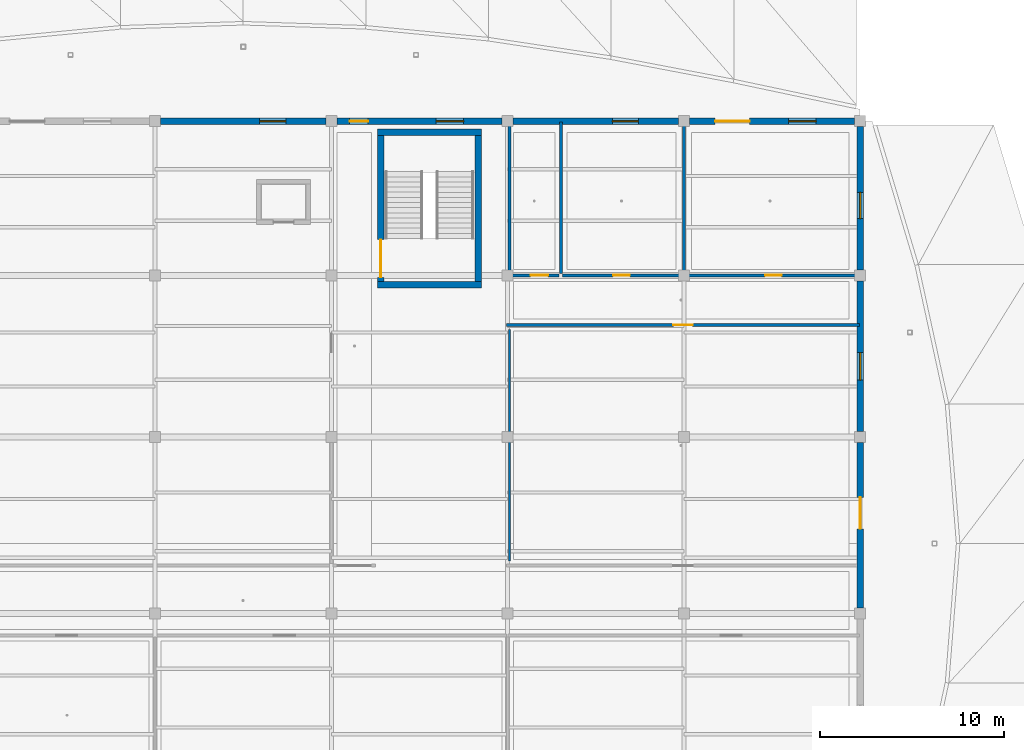
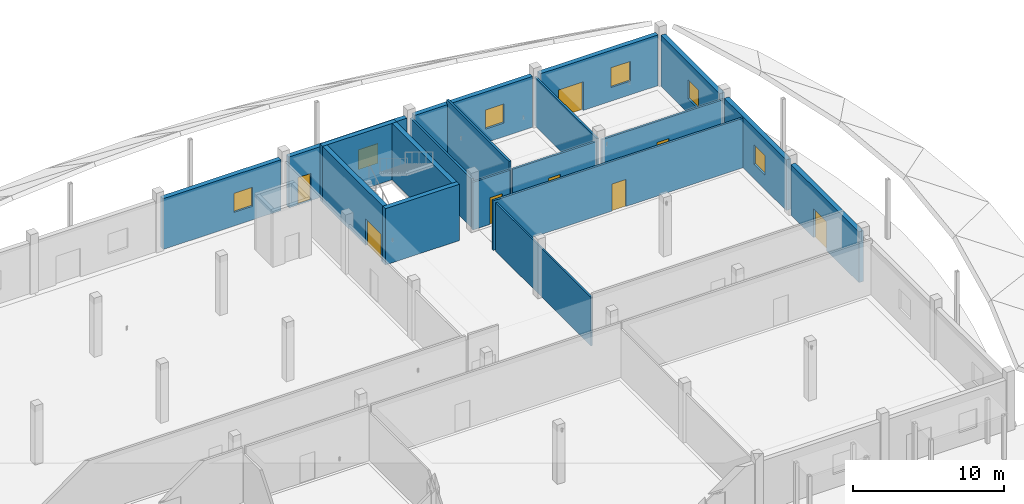
# One storey, part 84 of 116: 19 walls, 8 doors, 6 windows, 14 openings.
"""IFC4 building model written with IfcOpenShell, lengths in metres."""

from ifc_helpers import new_model, si_unit, direction, frame, frame_2d, origin, place, context, subcontext, project, spatial, rectangle, extrude, material, layer, layer_set, type_object, element, fill, save


model = new_model("IFC4")

# Units and contexts
model_context = context("Model", 3, precision=1e-05, world=origin(), true_north=direction((0.0, 1.0)))
body_context = subcontext(model_context, "Body", "Model", "MODEL_VIEW")
ifc_project = project(units=[si_unit("LENGTHUNIT", "METRE"), si_unit("AREAUNIT", "SQUARE_METRE"), si_unit("VOLUMEUNIT", "CUBIC_METRE"), si_unit("PLANEANGLEUNIT", "RADIAN"), si_unit("MASSUNIT", "GRAM", prefix="KILO")], contexts=[model_context])

# Site, building, storey
site_placement = place(None, origin())
site = spatial("IfcSite", under=ifc_project, at=site_placement, CompositionType="ELEMENT")
building_placement = place(site_placement, origin())
building = spatial("IfcBuilding", under=site, at=building_placement, Name="Chalmorin Arch Market", CompositionType="ELEMENT")
storey_placement = place(building_placement, origin())
storey = spatial("IfcBuildingStorey", under=building, at=storey_placement, Name="L00", CompositionType="ELEMENT", Elevation=0.0)

# Walls
ifc_material_1 = material(Name="Concrete C40/50", Category="concrete")
ifc_layer_1 = layer(ifc_material_1, 0.35009765625)
ifc_layer_set_1 = layer_set([ifc_layer_1], Name="Concrete C40/50")
wall_type_1 = type_object("IfcWallType", Name="CoreShearWall-350", PredefinedType="SHEAR", material=ifc_layer_set_1)
for number, where, z_axis, x_axis, name in (
    (1, (94.574951171875, 109.10009765625, 0.0), (0.0, 0.0, 1.0), (-1.0, 0.0, 0.0), "CSW-350-089"),
    (2, (88.925048828125, 117.39990234375, 0.0), (0.0, 0.0, 1.0), (1.0, 0.0, 0.0), "CSW-350-090"),
):
    element("IfcWall", number, at=place(storey_placement, frame(where, z_axis=z_axis, x_axis=x_axis)), inside=storey, type_object=wall_type_1, Name=name, PredefinedType="SHEAR", context=body_context, shape_type="SweptSolid", body=[
        extrude(rectangle(XDim=5.64990234375, YDim=0.35009765625, at=frame_2d((2.824951171875, 0.0))), origin(), (0.0, 0.0, 1.0), 4.550048828125),
    ])

# Wall, opening, door
wall_1_placement = place(storey_placement, frame((89.10009765625, 109.27490234375, 0.0), z_axis=(0.0, 0.0, 1.0), x_axis=(0.0, 1.0, 0.0)))
wall_1 = element("IfcWall", 3, at=wall_1_placement, inside=storey, type_object=wall_type_1, Name="CSW-350-091", PredefinedType="SHEAR", context=body_context, shape_type="SweptSolid", body=[
    extrude(rectangle(XDim=7.9501953125, YDim=0.35009765625, at=frame_2d((3.97509765625, 0.0))), origin(), (0.0, 0.0, 1.0), 4.550048828125),
])
opening_1_placement = place(wall_1_placement, frame((0.219970703125, 0.0, 0.0)))
opening_1 = element("IfcOpeningElement", 4, at=opening_1_placement, cuts=wall_1, Name="Opening FD-SC6-L00", PredefinedType="OPENING", context=body_context, shape_type="SweptSolid", body=[
    extrude(rectangle(XDim=2.050048828125, YDim=2.14990234375, at=frame_2d((1.02490234375, 1.074951171875))), frame((0.0, 0.18505859375, 0.0), z_axis=(0.0, -1.0, 0.0), x_axis=(1.0, 0.0, 0.0)), (0.0, 0.0, 1.0), 0.3701171875),
])
ifc_material_2 = material(Name="Galvanised Steel", Category="steel")
door_type_1 = type_object("IfcDoorType", Name="DoubleFireExitDoor-2050x2150", OperationType="DOUBLE_DOOR_SINGLE_SWING", PredefinedType="DOOR", material=ifc_material_2)
door_1_placement = place(opening_1_placement, origin())
door_1 = element("IfcDoor", 5, at=door_1_placement, inside=storey, type_object=door_type_1, Name="FD-SC6-L00", OperationType="DOUBLE_DOOR_SINGLE_SWING", OverallHeight=2.14990234375, OverallWidth=2.050048828125, PredefinedType="DOOR", context=body_context, shape_type="SweptSolid", body=[
    extrude(rectangle(XDim=2.050048828125, YDim=2.14990234375, at=frame_2d((1.02490234375, 1.074951171875))), frame((0.0, 0.02490234375, 0.0), z_axis=(0.0, -1.0, 0.0), x_axis=(1.0, 0.0, 0.0)), (0.0, 0.0, 1.0), 0.050048828125),
])
fill(opening_1, door_1)

# Wall
wall_2_placement = place(storey_placement, frame((94.39990234375, 117.22509765625, 0.0), z_axis=(0.0, 0.0, 1.0), x_axis=(0.0, -1.0, 0.0)))
element("IfcWall", 6, at=wall_2_placement, inside=storey, type_object=wall_type_1, Name="CSW-350-092", PredefinedType="SHEAR", context=body_context, shape_type="SweptSolid", body=[
    extrude(rectangle(XDim=7.9501953125, YDim=0.35009765625, at=frame_2d((3.97509765625, 0.0))), origin(), (0.0, 0.0, 1.0), 4.550048828125),
])

# Wall, opening, door
ifc_material_3 = material(Name="Gypsum Board Partition")
ifc_layer_2 = layer(ifc_material_3, 0.159912109375)
ifc_layer_set_2 = layer_set([ifc_layer_2], Name="Gypsum Board Partition")
wall_type_2 = type_object("IfcWallType", Name="CorridorRatedPartition-160", PredefinedType="PARTITIONING", material=ifc_layer_set_2)
wall_3_placement = place(storey_placement, frame((95.949951171875, 106.89990234375, 0.0), z_axis=(0.0, 0.0, 1.0), x_axis=(1.0, 0.0, 0.0)))
wall_3 = element("IfcWall", 7, at=wall_3_placement, inside=storey, type_object=wall_type_2, Name="CRP-160-451", PredefinedType="PARTITIONING", context=body_context, shape_type="SweptSolid", body=[
    extrude(rectangle(XDim=19.199951171875, YDim=0.159912109375, at=frame_2d((9.60009765625, 0.0))), origin(), (0.0, 0.0, 1.0), 4.0),
])
opening_2_placement = place(wall_3_placement, frame((9.080078125, 0.0, 0.0)))
opening_2 = element("IfcOpeningElement", 8, at=opening_2_placement, cuts=wall_3, Name="Opening ID-136", PredefinedType="OPENING", context=body_context, shape_type="SweptSolid", body=[
    extrude(rectangle(XDim=1.0400390625, YDim=2.179931640625, at=frame_2d((0.52001953125, 1.08984375))), frame((0.0, 0.08984375, 0.0), z_axis=(0.0, -1.0, 0.0), x_axis=(1.0, 0.0, 0.0)), (0.0, 0.0, 1.0), 0.179931640625),
])
ifc_material_4 = material(Name="Oak Engineered Timber", Category="wood")
door_type_2 = type_object("IfcDoorType", Name="CommunityRoomDoor-1040x2180", OperationType="NOTDEFINED", PredefinedType="DOOR", material=ifc_material_4)
door_2_placement = place(opening_2_placement, origin())
door_2 = element("IfcDoor", 9, at=door_2_placement, inside=storey, type_object=door_type_2, Name="ID-136", OperationType="SINGLE_SWING_RIGHT", OverallHeight=2.179931640625, OverallWidth=1.0400390625, PredefinedType="DOOR", context=body_context, shape_type="SweptSolid", body=[
    extrude(rectangle(XDim=1.0400390625, YDim=2.179931640625, at=frame_2d((0.52001953125, 1.08984375))), frame((0.0, 0.02490234375, 0.0), z_axis=(0.0, -1.0, 0.0), x_axis=(1.0, 0.0, 0.0)), (0.0, 0.0, 1.0), 0.050048828125),
])
fill(opening_2, door_2)

# Wall
ifc_material_5 = material(Name="Powder-coated Aluminium Panel", Category="aluminium")
ifc_layer_3 = layer(ifc_material_5, 0.125)
ifc_layer_set_3 = layer_set([ifc_layer_3], Name="Powder-coated Aluminium Panel")
wall_type_3 = type_object("IfcWallType", Name="DemountableStudStallPartition-125", PredefinedType="PARTITIONING", material=ifc_layer_set_3)
wall_4_placement = place(storey_placement, frame((96.10009765625, 94.0400390625, 0.0), z_axis=(0.0, 0.0, 1.0), x_axis=(0.0, 1.0, 0.0)))
element("IfcWall", 10, at=wall_4_placement, inside=storey, type_object=wall_type_3, Name="DSP-125-473", PredefinedType="PARTITIONING", context=body_context, shape_type="SweptSolid", body=[
    extrude(rectangle(XDim=12.619873046875, YDim=0.125, at=frame_2d((6.31005859375, 0.0))), origin(), (0.0, 0.0, 1.0), 3.919921875),
])

# Wall, opening, window
ifc_material_6 = material(Name="Concrete C35/45", Category="concrete")
ifc_layer_4 = layer(ifc_material_6, 0.35009765625)
ifc_layer_set_4 = layer_set([ifc_layer_4], Name="Concrete C35/45")
wall_type_4 = type_object("IfcWallType", Name="PlinthPerimeterWall-350", PredefinedType="SOLIDWALL", material=ifc_layer_set_4)
wall_5_placement = place(storey_placement, frame((77.10009765625, 118.0, 0.0), z_axis=(0.0, 0.0, 1.0), x_axis=(1.0, 0.0, 0.0)))
wall_5 = element("IfcWall", 11, at=wall_5_placement, inside=storey, type_object=wall_type_4, Name="PPW-350-185", PredefinedType="SOLIDWALL", context=body_context, shape_type="SweptSolid", body=[
    extrude(rectangle(XDim=9.0, YDim=0.35009765625, at=frame_2d((4.5, 0.0))), origin(), (0.0, 0.0, 1.0), 4.10009765625),
])
opening_3_placement = place(wall_5_placement, frame((5.39990234375, 0.0, 1.10009765625)))
opening_3 = element("IfcOpeningElement", 12, at=opening_3_placement, cuts=wall_5, Name="Opening WN-106", PredefinedType="OPENING", context=body_context, shape_type="SweptSolid", body=[
    extrude(rectangle(XDim=1.419921875, YDim=1.5400390625, at=frame_2d((0.7099609375, 0.77001953125))), frame((0.0, 0.18505859375, 0.0), z_axis=(0.0, -1.0, 0.0), x_axis=(1.0, 0.0, 0.0)), (0.0, 0.0, 1.0), 0.3701171875),
])
ifc_material_7 = material(Name="Low-E Tempered Glass", Category="glass")
window_type_1 = type_object("IfcWindowType", Name="WorkshopPunchedWindow-1500x1600-1420x1540", PartitioningType="SINGLE_PANEL", PredefinedType="WINDOW", material=ifc_material_7)
window_1_placement = place(opening_3_placement, origin())
window_1 = element("IfcWindow", 13, at=window_1_placement, inside=storey, type_object=window_type_1, Name="WN-106", OverallHeight=1.5400390625, OverallWidth=1.419921875, PartitioningType="SINGLE_PANEL", PredefinedType="WINDOW", context=body_context, shape_type="SweptSolid", body=[
    extrude(rectangle(XDim=1.419921875, YDim=1.5400390625, at=frame_2d((0.7099609375, 0.77001953125))), frame((0.0, 0.030029296875, 0.0), z_axis=(0.0, -1.0, 0.0), x_axis=(1.0, 0.0, 0.0)), (0.0, 0.0, 1.0), 0.06005859375),
])
fill(opening_3, window_1)

# Wall, openings, door, window
wall_6_placement = place(storey_placement, frame((86.699951171875, 118.0, 0.0), z_axis=(0.0, 0.0, 1.0), x_axis=(1.0, 0.0, 0.0)))
wall_6 = element("IfcWall", 14, at=wall_6_placement, inside=storey, type_object=wall_type_4, Name="PPW-350-187", PredefinedType="SOLIDWALL", context=body_context, shape_type="SweptSolid", body=[
    extrude(rectangle(XDim=9.0, YDim=0.35009765625, at=frame_2d((4.5, 0.0))), origin(), (0.0, 0.0, 1.0), 4.10009765625),
])
opening_4_placement = place(wall_6_placement, frame((0.699951171875, 0.0, 0.0)))
opening_4 = element("IfcOpeningElement", 15, at=opening_4_placement, cuts=wall_6, Name="Opening ED-045", PredefinedType="OPENING", context=body_context, shape_type="SweptSolid", body=[
    extrude(rectangle(XDim=1.0, YDim=2.199951171875, at=frame_2d((0.5, 1.10009765625))), frame((0.0, 0.18505859375, 0.0), z_axis=(0.0, -1.0, 0.0), x_axis=(1.0, 0.0, 0.0)), (0.0, 0.0, 1.0), 0.3701171875),
])
opening_5_placement = place(wall_6_placement, frame((5.39990234375, 0.0, 1.10009765625)))
opening_5 = element("IfcOpeningElement", 16, at=opening_5_placement, cuts=wall_6, Name="Opening WN-108", PredefinedType="OPENING", context=body_context, shape_type="SweptSolid", body=[
    extrude(rectangle(XDim=1.5, YDim=1.60009765625, at=frame_2d((0.75, 0.800048828125))), frame((0.0, 0.18505859375, 0.0), z_axis=(0.0, -1.0, 0.0), x_axis=(1.0, 0.0, 0.0)), (0.0, 0.0, 1.0), 0.3701171875),
])
ifc_material_8 = material(Name="Aluminium 6063-T6", Category="aluminium")
door_type_3 = type_object("IfcDoorType", Name="TerraceGlazedSingleDoor-1000x2200", OperationType="SINGLE_SWING_LEFT", PredefinedType="DOOR", material=ifc_material_8)
door_3_placement = place(opening_4_placement, origin())
door_3 = element("IfcDoor", 17, at=door_3_placement, inside=storey, type_object=door_type_3, Name="ED-045", OperationType="SINGLE_SWING_LEFT", OverallHeight=2.199951171875, OverallWidth=1.0, PredefinedType="DOOR", context=body_context, shape_type="SweptSolid", body=[
    extrude(rectangle(XDim=1.0, YDim=2.199951171875, at=frame_2d((0.5, 1.10009765625))), frame((0.0, 0.02490234375, 0.0), z_axis=(0.0, -1.0, 0.0), x_axis=(1.0, 0.0, 0.0)), (0.0, 0.0, 1.0), 0.050048828125),
])
fill(opening_4, door_3)
window_type_2 = type_object("IfcWindowType", Name="WorkshopPunchedWindow-1500x1600", PartitioningType="SINGLE_PANEL", PredefinedType="WINDOW", material=ifc_material_7)
window_2_placement = place(opening_5_placement, origin())
window_2 = element("IfcWindow", 18, at=window_2_placement, inside=storey, type_object=window_type_2, Name="WN-108", OverallHeight=1.60009765625, OverallWidth=1.5, PartitioningType="SINGLE_PANEL", PredefinedType="WINDOW", context=body_context, shape_type="SweptSolid", body=[
    extrude(rectangle(XDim=1.5, YDim=1.60009765625, at=frame_2d((0.75, 0.800048828125))), frame((0.0, 0.030029296875, 0.0), z_axis=(0.0, -1.0, 0.0), x_axis=(1.0, 0.0, 0.0)), (0.0, 0.0, 1.0), 0.06005859375),
])
fill(opening_5, window_2)

# Wall, opening, window
wall_7_placement = place(storey_placement, frame((96.300048828125, 118.0, 0.0), z_axis=(0.0, 0.0, 1.0), x_axis=(1.0, 0.0, 0.0)))
wall_7 = element("IfcWall", 19, at=wall_7_placement, inside=storey, type_object=wall_type_4, Name="PPW-350-189", PredefinedType="SOLIDWALL", context=body_context, shape_type="SweptSolid", body=[
    extrude(rectangle(XDim=9.0, YDim=0.35009765625, at=frame_2d((4.5, 0.0))), origin(), (0.0, 0.0, 1.0), 4.10009765625),
])
opening_6_placement = place(wall_7_placement, frame((5.39990234375, 0.0, 1.10009765625)))
opening_6 = element("IfcOpeningElement", 20, at=opening_6_placement, cuts=wall_7, Name="Opening WN-110", PredefinedType="OPENING", context=body_context, shape_type="SweptSolid", body=[
    extrude(rectangle(XDim=1.419921875, YDim=1.5400390625, at=frame_2d((0.7099609375, 0.77001953125))), frame((0.0, 0.18505859375, 0.0), z_axis=(0.0, -1.0, 0.0), x_axis=(1.0, 0.0, 0.0)), (0.0, 0.0, 1.0), 0.3701171875),
])
window_3_placement = place(opening_6_placement, origin())
window_3 = element("IfcWindow", 21, at=window_3_placement, inside=storey, type_object=window_type_1, Name="WN-110", OverallHeight=1.5400390625, OverallWidth=1.419921875, PartitioningType="SINGLE_PANEL", PredefinedType="WINDOW", context=body_context, shape_type="SweptSolid", body=[
    extrude(rectangle(XDim=1.419921875, YDim=1.5400390625, at=frame_2d((0.7099609375, 0.77001953125))), frame((0.0, 0.030029296875, 0.0), z_axis=(0.0, -1.0, 0.0), x_axis=(1.0, 0.0, 0.0)), (0.0, 0.0, 1.0), 0.06005859375),
])
fill(opening_6, window_3)

# Wall, openings, door, window
wall_8_placement = place(storey_placement, frame((105.89990234375, 118.0, 0.0), z_axis=(0.0, 0.0, 1.0), x_axis=(1.0, 0.0, 0.0)))
wall_8 = element("IfcWall", 22, at=wall_8_placement, inside=storey, type_object=wall_type_4, Name="PPW-350-191", PredefinedType="SOLIDWALL", context=body_context, shape_type="SweptSolid", body=[
    extrude(rectangle(XDim=9.0, YDim=0.35009765625, at=frame_2d((4.5, 0.0))), origin(), (0.0, 0.0, 1.0), 4.10009765625),
])
opening_7_placement = place(wall_8_placement, frame((1.39990234375, 0.0, 0.0)))
opening_7 = element("IfcOpeningElement", 23, at=opening_7_placement, cuts=wall_8, Name="Opening ED-047", PredefinedType="OPENING", context=body_context, shape_type="SweptSolid", body=[
    extrude(rectangle(XDim=1.8798828125, YDim=2.31005859375, at=frame_2d((0.93994140625, 1.155029296875))), frame((0.0, 0.18505859375, 0.0), z_axis=(0.0, -1.0, 0.0), x_axis=(1.0, 0.0, 0.0)), (0.0, 0.0, 1.0), 0.3701171875),
])
opening_8_placement = place(wall_8_placement, frame((5.39990234375, 0.0, 1.10009765625)))
opening_8 = element("IfcOpeningElement", 24, at=opening_8_placement, cuts=wall_8, Name="Opening WN-112", PredefinedType="OPENING", context=body_context, shape_type="SweptSolid", body=[
    extrude(rectangle(XDim=1.5, YDim=1.60009765625, at=frame_2d((0.75, 0.800048828125))), frame((0.0, 0.18505859375, 0.0), z_axis=(0.0, -1.0, 0.0), x_axis=(1.0, 0.0, 0.0)), (0.0, 0.0, 1.0), 0.3701171875),
])
door_type_4 = type_object("IfcDoorType", Name="DoubleStorefrontDoor-2000x2400-1880x2310", OperationType="DOUBLE_DOOR_SINGLE_SWING", PredefinedType="DOOR", material=ifc_material_8)
door_4_placement = place(opening_7_placement, origin())
door_4 = element("IfcDoor", 25, at=door_4_placement, inside=storey, type_object=door_type_4, Name="ED-047", OperationType="DOUBLE_DOOR_SINGLE_SWING", OverallHeight=2.31005859375, OverallWidth=1.8798828125, PredefinedType="DOOR", context=body_context, shape_type="SweptSolid", body=[
    extrude(rectangle(XDim=1.8798828125, YDim=2.31005859375, at=frame_2d((0.93994140625, 1.155029296875))), frame((0.0, 0.02490234375, 0.0), z_axis=(0.0, -1.0, 0.0), x_axis=(1.0, 0.0, 0.0)), (0.0, 0.0, 1.0), 0.050048828125),
])
fill(opening_7, door_4)
window_4_placement = place(opening_8_placement, origin())
window_4 = element("IfcWindow", 26, at=window_4_placement, inside=storey, type_object=window_type_2, Name="WN-112", OverallHeight=1.60009765625, OverallWidth=1.5, PartitioningType="SINGLE_PANEL", PredefinedType="WINDOW", context=body_context, shape_type="SweptSolid", body=[
    extrude(rectangle(XDim=1.5, YDim=1.60009765625, at=frame_2d((0.75, 0.800048828125))), frame((0.0, 0.030029296875, 0.0), z_axis=(0.0, -1.0, 0.0), x_axis=(1.0, 0.0, 0.0)), (0.0, 0.0, 1.0), 0.06005859375),
])
fill(opening_8, window_4)

# Wall, opening, door
wall_9_placement = place(storey_placement, frame((115.199951171875, 91.5, 0.0), z_axis=(0.0, 0.0, 1.0), x_axis=(0.0, 1.0, 0.0)))
wall_9 = element("IfcWall", 27, at=wall_9_placement, inside=storey, type_object=wall_type_4, Name="PPW-350-199", PredefinedType="SOLIDWALL", context=body_context, shape_type="SweptSolid", body=[
    extrude(rectangle(XDim=9.0, YDim=0.35009765625, at=frame_2d((4.5, 0.0))), origin(), (0.0, 0.0, 1.0), 4.10009765625),
])
opening_9_placement = place(wall_9_placement, frame((4.300048828125, 0.0, 0.0)))
opening_9 = element("IfcOpeningElement", 28, at=opening_9_placement, cuts=wall_9, Name="Opening ED-050", PredefinedType="OPENING", context=body_context, shape_type="SweptSolid", body=[
    extrude(rectangle(XDim=1.719970703125, YDim=2.340087890625, at=frame_2d((0.85986328125, 1.169921875))), frame((0.0, 0.18505859375, 0.0), z_axis=(0.0, -1.0, 0.0), x_axis=(1.0, 0.0, 0.0)), (0.0, 0.0, 1.0), 0.3701171875),
])
door_type_5 = type_object("IfcDoorType", Name="DoubleStorefrontDoor-1800x2400-1720x2340", OperationType="DOUBLE_DOOR_SINGLE_SWING", PredefinedType="DOOR", material=ifc_material_8)
door_5_placement = place(opening_9_placement, origin())
door_5 = element("IfcDoor", 29, at=door_5_placement, inside=storey, type_object=door_type_5, Name="ED-050", OperationType="DOUBLE_DOOR_SINGLE_SWING", OverallHeight=2.340087890625, OverallWidth=1.719970703125, PredefinedType="DOOR", context=body_context, shape_type="SweptSolid", body=[
    extrude(rectangle(XDim=1.719970703125, YDim=2.340087890625, at=frame_2d((0.85986328125, 1.169921875))), frame((0.0, 0.02490234375, 0.0), z_axis=(0.0, -1.0, 0.0), x_axis=(1.0, 0.0, 0.0)), (0.0, 0.0, 1.0), 0.050048828125),
])
fill(opening_9, door_5)

# Wall, opening, window
wall_10_placement = place(storey_placement, frame((115.199951171875, 101.10009765625, 0.0), z_axis=(0.0, 0.0, 1.0), x_axis=(0.0, 1.0, 0.0)))
wall_10 = element("IfcWall", 30, at=wall_10_placement, inside=storey, type_object=wall_type_4, Name="PPW-350-203", PredefinedType="SOLIDWALL", context=body_context, shape_type="SweptSolid", body=[
    extrude(rectangle(XDim=8.199951171875, YDim=0.35009765625, at=frame_2d((4.10009765625, 0.0))), origin(), (0.0, 0.0, 1.0), 4.10009765625),
])
opening_10_placement = place(wall_10_placement, frame((2.800048828125, 0.0, 1.14990234375)))
opening_10 = element("IfcOpeningElement", 31, at=opening_10_placement, cuts=wall_10, Name="Opening WN-120", PredefinedType="OPENING", context=body_context, shape_type="SweptSolid", body=[
    extrude(rectangle(XDim=1.5, YDim=1.60009765625, at=frame_2d((0.75, 0.800048828125))), frame((0.0, 0.18505859375, 0.0), z_axis=(0.0, -1.0, 0.0), x_axis=(1.0, 0.0, 0.0)), (0.0, 0.0, 1.0), 0.3701171875),
])
window_5_placement = place(opening_10_placement, origin())
window_5 = element("IfcWindow", 32, at=window_5_placement, inside=storey, type_object=window_type_2, Name="WN-120", OverallHeight=1.60009765625, OverallWidth=1.5, PartitioningType="SINGLE_PANEL", PredefinedType="WINDOW", context=body_context, shape_type="SweptSolid", body=[
    extrude(rectangle(XDim=1.5, YDim=1.60009765625, at=frame_2d((0.75, 0.800048828125))), frame((0.0, 0.030029296875, 0.0), z_axis=(0.0, -1.0, 0.0), x_axis=(1.0, 0.0, 0.0)), (0.0, 0.0, 1.0), 0.06005859375),
])
fill(opening_10, window_5)

wall_11_placement = place(storey_placement, frame((115.199951171875, 109.89990234375, 0.0), z_axis=(0.0, 0.0, 1.0), x_axis=(0.0, 1.0, 0.0)))
wall_11 = element("IfcWall", 33, at=wall_11_placement, inside=storey, type_object=wall_type_4, Name="PPW-350-206", PredefinedType="SOLIDWALL", context=body_context, shape_type="SweptSolid", body=[
    extrude(rectangle(XDim=7.800048828125, YDim=0.35009765625, at=frame_2d((3.89990234375, 0.0))), origin(), (0.0, 0.0, 1.0), 4.10009765625),
])
opening_11_placement = place(wall_11_placement, frame((2.800048828125, 0.0, 1.14990234375)))
opening_11 = element("IfcOpeningElement", 34, at=opening_11_placement, cuts=wall_11, Name="Opening WN-122", PredefinedType="OPENING", context=body_context, shape_type="SweptSolid", body=[
    extrude(rectangle(XDim=1.419921875, YDim=1.5400390625, at=frame_2d((0.7099609375, 0.77001953125))), frame((0.0, 0.18505859375, 0.0), z_axis=(0.0, -1.0, 0.0), x_axis=(1.0, 0.0, 0.0)), (0.0, 0.0, 1.0), 0.3701171875),
])
window_6_placement = place(opening_11_placement, origin())
window_6 = element("IfcWindow", 35, at=window_6_placement, inside=storey, type_object=window_type_1, Name="WN-122", OverallHeight=1.5400390625, OverallWidth=1.419921875, PartitioningType="SINGLE_PANEL", PredefinedType="WINDOW", context=body_context, shape_type="SweptSolid", body=[
    extrude(rectangle(XDim=1.419921875, YDim=1.5400390625, at=frame_2d((0.7099609375, 0.77001953125))), frame((0.0, 0.030029296875, 0.0), z_axis=(0.0, -1.0, 0.0), x_axis=(1.0, 0.0, 0.0)), (0.0, 0.0, 1.0), 0.06005859375),
])
fill(opening_11, window_6)

# Wall, opening, door
ifc_material_9 = material(Name="Concrete C30/37", Category="concrete")
ifc_layer_5 = layer(ifc_material_9, 0.14990234375)
ifc_layer_set_5 = layer_set([ifc_layer_5], Name="Concrete C30/37")
wall_type_5 = type_object("IfcWallType", Name="WetAreaTilePartition-150", PredefinedType="PARTITIONING", material=ifc_layer_set_5)
wall_12_placement = place(storey_placement, frame((95.949951171875, 109.60009765625, 0.0), z_axis=(0.0, 0.0, 1.0), x_axis=(1.0, 0.0, 0.0)))
wall_12 = element("IfcWall", 36, at=wall_12_placement, inside=storey, type_object=wall_type_5, Name="WTP-150-452", PredefinedType="PARTITIONING", context=body_context, shape_type="SweptSolid", body=[
    extrude(rectangle(XDim=2.85009765625, YDim=0.14990234375, at=frame_2d((1.425048828125, 0.0))), origin(), (0.0, 0.0, 1.0), 3.841064453125),
])
opening_12_placement = place(wall_12_placement, frame((1.303955078125, 0.0, 0.0)))
opening_12 = element("IfcOpeningElement", 37, at=opening_12_placement, cuts=wall_12, Name="Opening ID-137", PredefinedType="OPENING", context=body_context, shape_type="SweptSolid", body=[
    extrude(rectangle(XDim=0.949951171875, YDim=2.14990234375, at=frame_2d((0.47509765625, 1.074951171875))), frame((0.0, 0.0849609375, 0.0), z_axis=(0.0, -1.0, 0.0), x_axis=(1.0, 0.0, 0.0)), (0.0, 0.0, 1.0), 0.169921875),
])
door_type_6 = type_object("IfcDoorType", Name="AccessibleWCDoor-950x2150", OperationType="NOTDEFINED", PredefinedType="DOOR", material=ifc_material_4)
door_6_placement = place(opening_12_placement, origin())
door_6 = element("IfcDoor", 38, at=door_6_placement, inside=storey, type_object=door_type_6, Name="ID-137", OperationType="SINGLE_SWING_LEFT", OverallHeight=2.14990234375, OverallWidth=0.949951171875, PredefinedType="DOOR", context=body_context, shape_type="SweptSolid", body=[
    extrude(rectangle(XDim=0.949951171875, YDim=2.14990234375, at=frame_2d((0.47509765625, 1.074951171875))), frame((0.0, 0.02490234375, 0.0), z_axis=(0.0, -1.0, 0.0), x_axis=(1.0, 0.0, 0.0)), (0.0, 0.0, 1.0), 0.050048828125),
])
fill(opening_12, door_6)

wall_13_placement = place(storey_placement, frame((99.0, 109.60009765625, 0.0), z_axis=(0.0, 0.0, 1.0), x_axis=(1.0, 0.0, 0.0)))
wall_13 = element("IfcWall", 39, at=wall_13_placement, inside=storey, type_object=wall_type_5, Name="WTP-150-453", PredefinedType="PARTITIONING", context=body_context, shape_type="SweptSolid", body=[
    extrude(rectangle(XDim=6.39990234375, YDim=0.14990234375, at=frame_2d((3.199951171875, 0.0))), origin(), (0.0, 0.0, 1.0), 3.841064453125),
])
opening_13_placement = place(wall_13_placement, frame((2.75, 0.0, 0.0)))
opening_13 = element("IfcOpeningElement", 40, at=opening_13_placement, cuts=wall_13, Name="Opening ID-138", PredefinedType="OPENING", context=body_context, shape_type="SweptSolid", body=[
    extrude(rectangle(XDim=0.89990234375, YDim=2.14990234375, at=frame_2d((0.449951171875, 1.074951171875))), frame((0.0, 0.0849609375, 0.0), z_axis=(0.0, -1.0, 0.0), x_axis=(1.0, 0.0, 0.0)), (0.0, 0.0, 1.0), 0.169921875),
])
door_type_7 = type_object("IfcDoorType", Name="RestroomEntryDoor-900x2150", OperationType="NOTDEFINED", PredefinedType="DOOR", material=ifc_material_4)
door_7_placement = place(opening_13_placement, origin())
door_7 = element("IfcDoor", 41, at=door_7_placement, inside=storey, type_object=door_type_7, Name="ID-138", OperationType="SINGLE_SWING_RIGHT", OverallHeight=2.14990234375, OverallWidth=0.89990234375, PredefinedType="DOOR", context=body_context, shape_type="SweptSolid", body=[
    extrude(rectangle(XDim=0.89990234375, YDim=2.14990234375, at=frame_2d((0.449951171875, 1.074951171875))), frame((0.0, 0.02490234375, 0.0), z_axis=(0.0, -1.0, 0.0), x_axis=(1.0, 0.0, 0.0)), (0.0, 0.0, 1.0), 0.050048828125),
])
fill(opening_13, door_7)

wall_14_placement = place(storey_placement, frame((105.800048828125, 109.60009765625, 0.0), z_axis=(0.0, 0.0, 1.0), x_axis=(1.0, 0.0, 0.0)))
wall_14 = element("IfcWall", 42, at=wall_14_placement, inside=storey, type_object=wall_type_5, Name="WTP-150-454", PredefinedType="PARTITIONING", context=body_context, shape_type="SweptSolid", body=[
    extrude(rectangle(XDim=9.349853515625, YDim=0.14990234375, at=frame_2d((4.6748046875, 0.0))), origin(), (0.0, 0.0, 1.0), 3.841064453125),
])
opening_14_placement = place(wall_14_placement, frame((4.22509765625, 0.0, 0.0)))
opening_14 = element("IfcOpeningElement", 43, at=opening_14_placement, cuts=wall_14, Name="Opening ID-139", PredefinedType="OPENING", context=body_context, shape_type="SweptSolid", body=[
    extrude(rectangle(XDim=0.89990234375, YDim=2.14990234375, at=frame_2d((0.449951171875, 1.074951171875))), frame((0.0, 0.0849609375, 0.0), z_axis=(0.0, -1.0, 0.0), x_axis=(1.0, 0.0, 0.0)), (0.0, 0.0, 1.0), 0.169921875),
])
door_8_placement = place(opening_14_placement, origin())
door_8 = element("IfcDoor", 44, at=door_8_placement, inside=storey, type_object=door_type_7, Name="ID-139", OperationType="SINGLE_SWING_LEFT", OverallHeight=2.14990234375, OverallWidth=0.89990234375, PredefinedType="DOOR", context=body_context, shape_type="SweptSolid", body=[
    extrude(rectangle(XDim=0.89990234375, YDim=2.14990234375, at=frame_2d((0.449951171875, 1.074951171875))), frame((0.0, 0.02490234375, 0.0), z_axis=(0.0, -1.0, 0.0), x_axis=(1.0, 0.0, 0.0)), (0.0, 0.0, 1.0), 0.050048828125),
])
fill(opening_14, door_8)

# Walls
wall_15_placement = place(storey_placement, frame((98.89990234375, 109.699951171875, 0.0), z_axis=(0.0, 0.0, 1.0), x_axis=(0.0, 1.0, 0.0)))
element("IfcWall", 45, at=wall_15_placement, inside=storey, type_object=wall_type_5, Name="WTP-150-455", PredefinedType="PARTITIONING", context=body_context, shape_type="SweptSolid", body=[
    extrude(rectangle(XDim=8.25, YDim=0.14990234375, at=frame_2d((4.125, 0.0))), origin(), (0.0, 0.0, 1.0), 4.419921875),
])
wall_16_placement = place(storey_placement, frame((105.60009765625, 109.699951171875, 0.0), z_axis=(0.0, 0.0, 1.0), x_axis=(0.0, 1.0, 0.0)))
element("IfcWall", 46, at=wall_16_placement, inside=storey, type_object=wall_type_5, Name="WTP-150-456", PredefinedType="PARTITIONING", context=body_context, shape_type="SweptSolid", body=[
    extrude(rectangle(XDim=8.25, YDim=0.14990234375, at=frame_2d((4.125, 0.0))), origin(), (0.0, 0.0, 1.0), 3.919921875),
])
wall_17_placement = place(storey_placement, frame((96.10009765625, 109.840087890625, 0.0), z_axis=(0.0, 0.0, 1.0), x_axis=(0.0, 1.0, 0.0)))
element("IfcWall", 47, at=wall_17_placement, inside=storey, type_object=wall_type_5, Name="WTP-150-474", PredefinedType="PARTITIONING", context=body_context, shape_type="SweptSolid", body=[
    extrude(rectangle(XDim=8.10986328125, YDim=0.14990234375, at=frame_2d((4.054931640625, 0.0))), origin(), (0.0, 0.0, 1.0), 3.919921875),
])

save(model, "model.ifc")
